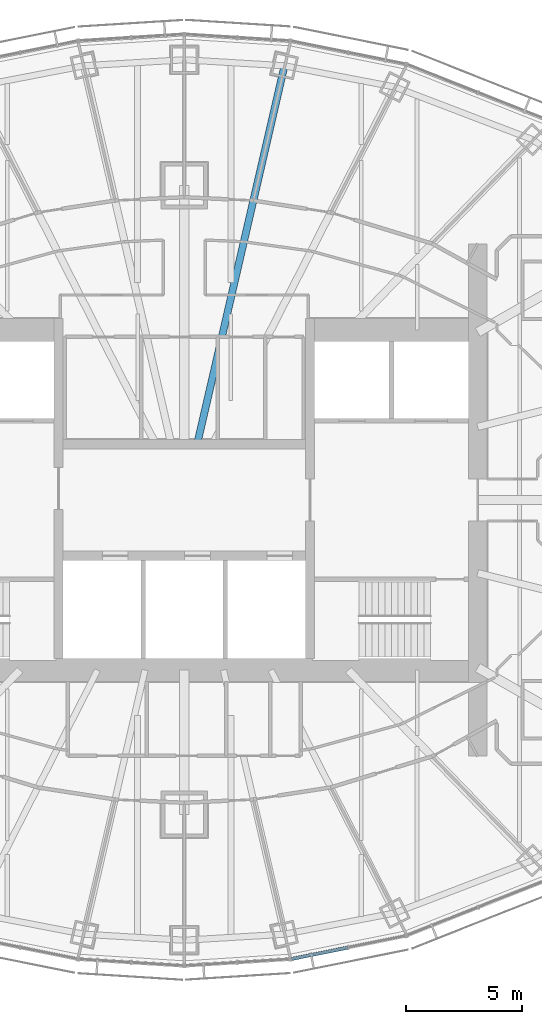
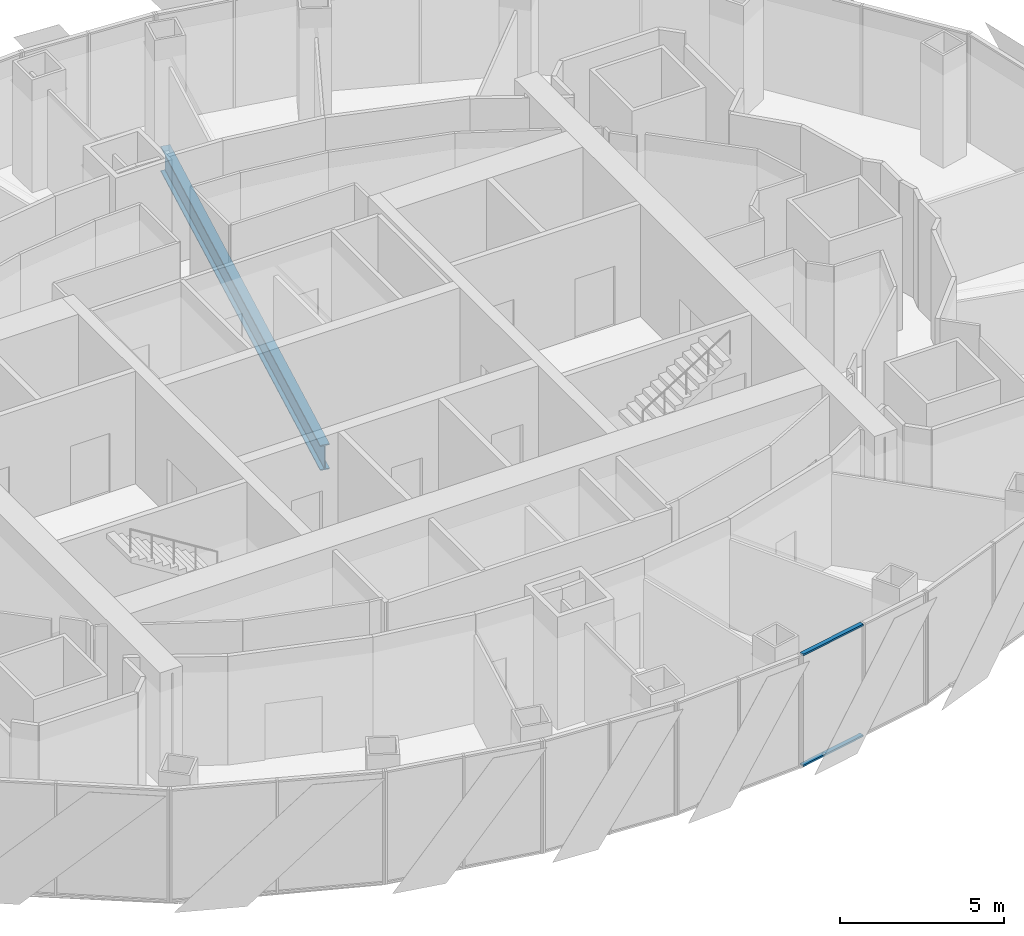
# One storey, part 5 of 19: 2 members, 1 beam, 1 element without a shape of its own.
"""IFC4 building model written with IfcOpenShell, lengths in metres."""

from ifc_helpers import new_model, si_unit, direction, frame, origin, origin_2d, place, context, subcontext, project, spatial, rectangle, i_section, extrude, material, material_profile, profile_set, type_object, element, aggregate, save


model = new_model("IFC4")

# Units and contexts
model_context = context("Model", 3, precision=1e-05, world=origin(), true_north=direction((0.0, 1.0)))
body_context = subcontext(model_context, "Body", "Model", "MODEL_VIEW")
ifc_project = project(units=[si_unit("LENGTHUNIT", "METRE"), si_unit("AREAUNIT", "SQUARE_METRE"), si_unit("VOLUMEUNIT", "CUBIC_METRE"), si_unit("PLANEANGLEUNIT", "RADIAN"), si_unit("MASSUNIT", "GRAM", prefix="KILO")], contexts=[model_context])

# Site, building, storey
site_placement = place(None, origin())
site = spatial("IfcSite", under=ifc_project, at=site_placement, CompositionType="ELEMENT")
building_placement = place(site_placement, origin())
building = spatial("IfcBuilding", under=site, at=building_placement, Name="Lantaw Convention Tower", CompositionType="ELEMENT")
storey_placement = place(building_placement, frame((0.0, 0.0, 245.199951171875)))
storey = spatial("IfcBuildingStorey", under=building, at=storey_placement, Name="L57", CompositionType="ELEMENT", Elevation=245.199951171875)

# Beam
ifc_material_1 = material(Name="Steel ASTM A992", Category="steel")
ifc_material_profile_1 = material_profile(ifc_material_1, i_section(OverallWidth=0.307373046875, OverallDepth=0.9423828125, WebThickness=0.022216796875, FlangeThickness=0.039794921875, FilletRadius=0.0126953125, at=origin_2d()), Name="W36X232")
ifc_profile_set_1 = profile_set([ifc_material_profile_1], Name="Steel ASTM A992")
beam_type = type_object("IfcBeamType", Name="Beam G W36X232", PredefinedType="BEAM", material=ifc_profile_set_1)
beam_placement = place(storey_placement, frame((0.55419921875, 2.39990234375, -0.62109375), z_axis=(0.224948287002, 0.974370703672, 0.0), x_axis=(-0.974370703672, 0.224948287002, 0.0)))
element("IfcBeam", 1, at=beam_placement, inside=storey, type_object=beam_type, Name="Floor girder on ray 6", PredefinedType="BEAM", context=body_context, shape_type="SweptSolid", body=[
    extrude(i_section(OverallWidth=0.307373046875, OverallDepth=0.9423828125, WebThickness=0.022216796875, FlangeThickness=0.039794921875, FilletRadius=0.0126953125, at=origin_2d()), origin(), (0.0, 0.0, 1.0), 16.66943359375),
])

# Curtain wall, members
ifc_material_2 = material(Name="Aluminium framed curtain wall", Category="aluminium")
curtain_wall_type = type_object("IfcCurtainWallType", Name="Office curtain wall high rise, pale aluminium", PredefinedType="USERDEFINED", material=ifc_material_2)
curtain_wall_placement = place(storey_placement, origin())
curtain_wall = element("IfcCurtainWall", 2, at=curtain_wall_placement, inside=storey, type_object=curtain_wall_type, Name="Office curtain wall high rise, pale aluminium L57", ObjectType="UNITISED CURTAIN WALL", PredefinedType="USERDEFINED")
ifc_material_3 = material(Name="Aluminium 6063-T6", Category="aluminium")
ifc_material_profile_2 = material_profile(ifc_material_3, rectangle(XDim=0.14990234375, YDim=0.06494140625, at=origin_2d()), Name="CW-O2 transom 65x150")
ifc_profile_set_2 = profile_set([ifc_material_profile_2], Name="Aluminium 6063-T6")
member_type = type_object("IfcMemberType", Name="CW-O2 transom 65x150", PredefinedType="USERDEFINED", material=ifc_profile_set_2)
member_1_placement = place(storey_placement, frame((4.614990234375, -19.700927734375, -0.117431640625), z_axis=(0.980380354178, 0.197115096178, 0.0), x_axis=(-0.197115096178, 0.980380354178, 0.0)))
member_1 = element("IfcMember", 3, at=member_1_placement, type_object=member_type, Name="CW-O2 transom 1.1", ObjectType="TRANSOM", PredefinedType="USERDEFINED", context=body_context, shape_type="SweptSolid", body=[
    extrude(rectangle(XDim=0.14990234375, YDim=0.06494140625, at=origin_2d()), origin(), (0.0, 0.0, 1.0), 2.443603515625),
])
member_2_placement = place(storey_placement, frame((4.614990234375, -19.700927734375, 4.017578125), z_axis=(0.980380354178, 0.197115096178, 0.0), x_axis=(-0.197115096178, 0.980380354178, 0.0)))
member_2 = element("IfcMember", 4, at=member_2_placement, type_object=member_type, Name="CW-O2 transom 1.2", ObjectType="TRANSOM", PredefinedType="USERDEFINED", context=body_context, shape_type="SweptSolid", body=[
    extrude(rectangle(XDim=0.14990234375, YDim=0.06494140625, at=origin_2d()), origin(), (0.0, 0.0, 1.0), 2.443603515625),
])
aggregate(curtain_wall, [member_1, member_2])

save(model, "model.ifc")
